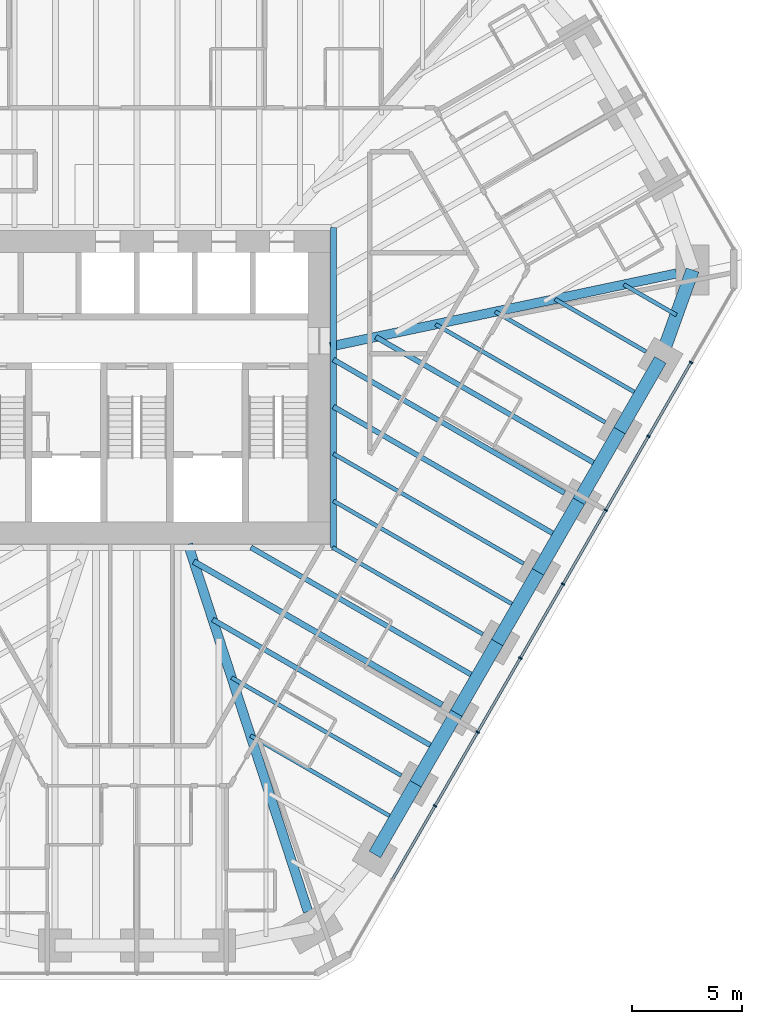
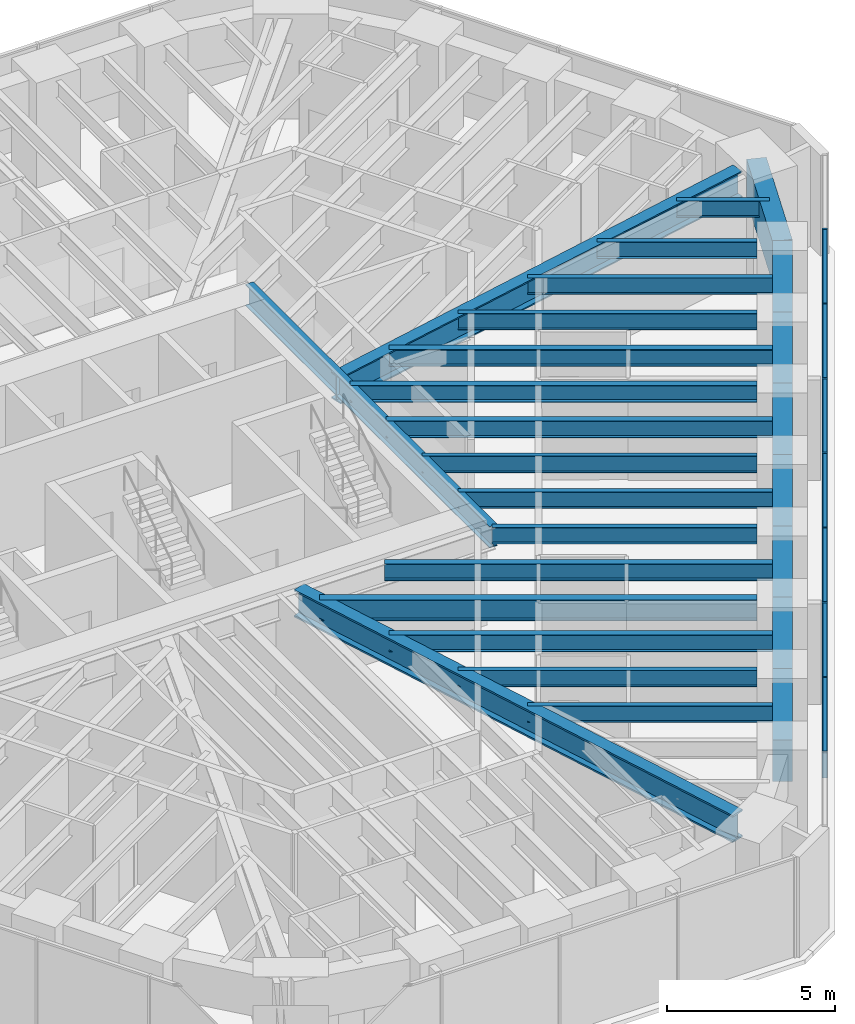
# One storey, part 5 of 17: 26 beams, 14 members, 1 element without a shape of its own.
"""IFC4 building model written with IfcOpenShell, lengths in metres."""

from ifc_helpers import new_model, si_unit, direction, frame, origin, origin_2d, place, context, subcontext, project, spatial, rectangle, i_section, extrude, material, material_profile, profile_set, type_object, element, aggregate, save


model = new_model("IFC4")

# Units and contexts
model_context = context("Model", 3, precision=1e-05, world=origin(), true_north=direction((0.0, 1.0)))
body_context = subcontext(model_context, "Body", "Model", "MODEL_VIEW")
ifc_project = project(units=[si_unit("LENGTHUNIT", "METRE"), si_unit("AREAUNIT", "SQUARE_METRE"), si_unit("VOLUMEUNIT", "CUBIC_METRE"), si_unit("PLANEANGLEUNIT", "RADIAN"), si_unit("MASSUNIT", "GRAM", prefix="KILO")], contexts=[model_context])

# Site, building, storey
site_placement = place(None, origin())
site = spatial("IfcSite", under=ifc_project, at=site_placement, CompositionType="ELEMENT")
building_placement = place(site_placement, origin())
building = spatial("IfcBuilding", under=site, at=building_placement, Name="Sandreach Pilgrim Tower", CompositionType="ELEMENT")
storey_placement = place(building_placement, frame((0.0, 0.0, 221.199951171875)))
storey = spatial("IfcBuildingStorey", under=building, at=storey_placement, Name="L55", CompositionType="ELEMENT", Elevation=221.199951171875)

# Curtain wall, members
ifc_material_1 = material(Name="Aluminium framed curtain wall", Category="aluminium")
curtain_wall_type = type_object("IfcCurtainWallType", Name="Upper hotel tower curtain wall", PredefinedType="NOTDEFINED", material=ifc_material_1)
curtain_wall_placement = place(storey_placement, origin())
curtain_wall = element("IfcCurtainWall", 1, at=curtain_wall_placement, inside=storey, type_object=curtain_wall_type, Name="CW-3 L55 SE", PredefinedType="NOTDEFINED")
ifc_material_2 = material(Name="Aluminium extrusion", Category="aluminium")
ifc_material_profile_1 = material_profile(ifc_material_2, rectangle(XDim=0.06494140625, YDim=0.159912109375, at=origin_2d()), Name="CW-3M 65X160")
ifc_profile_set_1 = profile_set([ifc_material_profile_1], Name="Aluminium extrusion")
member_type_1 = type_object("IfcMemberType", Name="CW-3 mullion", PredefinedType="MULLION", material=ifc_profile_set_1)
member_1_placement = place(storey_placement, frame((25.087890625, 1.13330078125, 0.0), z_axis=(0.0, 0.0, 1.0), x_axis=(-0.5, -0.866025403784, 0.0)))
member_1 = element("IfcMember", 2, at=member_1_placement, type_object=member_type_1, Name="CW-3 mullion 2", PredefinedType="MULLION", context=body_context, shape_type="SweptSolid", body=[
    extrude(rectangle(XDim=0.06494140625, YDim=0.159912109375, at=origin_2d()), origin(), (0.0, 0.0, 1.0), 3.64013671875),
])
member_2_placement = place(storey_placement, frame((23.15576171875, -2.21337890625, 0.0), z_axis=(0.0, 0.0, 1.0), x_axis=(-0.5, -0.866025403784, 0.0)))
member_2 = element("IfcMember", 3, at=member_2_placement, type_object=member_type_1, Name="CW-3 mullion 3", PredefinedType="MULLION", context=body_context, shape_type="SweptSolid", body=[
    extrude(rectangle(XDim=0.06494140625, YDim=0.159912109375, at=origin_2d()), origin(), (0.0, 0.0, 1.0), 3.64013671875),
])
member_3_placement = place(storey_placement, frame((21.223388671875, -5.56005859375, 0.0), z_axis=(0.0, 0.0, 1.0), x_axis=(-0.5, -0.866025403784, 0.0)))
member_3 = element("IfcMember", 4, at=member_3_placement, type_object=member_type_1, Name="CW-3 mullion 4", PredefinedType="MULLION", context=body_context, shape_type="SweptSolid", body=[
    extrude(rectangle(XDim=0.06494140625, YDim=0.159912109375, at=origin_2d()), origin(), (0.0, 0.0, 1.0), 3.64013671875),
])
member_4_placement = place(storey_placement, frame((19.291259765625, -8.90673828125, 0.0), z_axis=(0.0, 0.0, 1.0), x_axis=(-0.5, -0.866025403784, 0.0)))
member_4 = element("IfcMember", 5, at=member_4_placement, type_object=member_type_1, Name="CW-3 mullion 5", PredefinedType="MULLION", context=body_context, shape_type="SweptSolid", body=[
    extrude(rectangle(XDim=0.06494140625, YDim=0.159912109375, at=origin_2d()), origin(), (0.0, 0.0, 1.0), 3.64013671875),
])
member_5_placement = place(storey_placement, frame((17.359130859375, -12.25341796875, 0.0), z_axis=(0.0, 0.0, 1.0), x_axis=(-0.5, -0.866025403784, 0.0)))
member_5 = element("IfcMember", 6, at=member_5_placement, type_object=member_type_1, Name="CW-3 mullion 6", PredefinedType="MULLION", context=body_context, shape_type="SweptSolid", body=[
    extrude(rectangle(XDim=0.06494140625, YDim=0.159912109375, at=origin_2d()), origin(), (0.0, 0.0, 1.0), 3.64013671875),
])
member_6_placement = place(storey_placement, frame((15.4267578125, -15.60009765625, 0.0), z_axis=(0.0, 0.0, 1.0), x_axis=(-0.5, -0.866025403784, 0.0)))
member_6 = element("IfcMember", 7, at=member_6_placement, type_object=member_type_1, Name="CW-3 mullion 7", PredefinedType="MULLION", context=body_context, shape_type="SweptSolid", body=[
    extrude(rectangle(XDim=0.06494140625, YDim=0.159912109375, at=origin_2d()), origin(), (0.0, 0.0, 1.0), 3.64013671875),
])
member_7_placement = place(storey_placement, frame((13.49462890625, -18.94677734375, 0.0), z_axis=(0.0, 0.0, 1.0), x_axis=(-0.5, -0.866025403784, 0.0)))
member_7 = element("IfcMember", 8, at=member_7_placement, type_object=member_type_1, Name="CW-3 mullion 8", PredefinedType="MULLION", context=body_context, shape_type="SweptSolid", body=[
    extrude(rectangle(XDim=0.06494140625, YDim=0.159912109375, at=origin_2d()), origin(), (0.0, 0.0, 1.0), 3.64013671875),
])
ifc_material_3 = material(Name="Aluminium extrusion", Category="aluminium")
ifc_material_profile_2 = material_profile(ifc_material_3, rectangle(XDim=0.1201171875, YDim=0.070068359375, at=origin_2d()), Name="CW-3T 120X70")
ifc_profile_set_2 = profile_set([ifc_material_profile_2], Name="Aluminium extrusion")
member_type_2 = type_object("IfcMemberType", Name="CW-3 transom", PredefinedType="USERDEFINED", material=ifc_profile_set_2)
member_8_placement = place(storey_placement, frame((25.07177734375, 1.105224609375, 3.60498046875), z_axis=(-0.500022797313, -0.86601224135, 0.0), x_axis=(0.86601224135, -0.500022797313, 0.0)))
member_8 = element("IfcMember", 9, at=member_8_placement, type_object=member_type_2, Name="CW-3 head transom 2", ObjectType="TRANSOM", PredefinedType="USERDEFINED", context=body_context, shape_type="SweptSolid", body=[
    extrude(rectangle(XDim=0.1201171875, YDim=0.070068359375, at=origin_2d()), origin(), (0.0, 0.0, 1.0), 3.799560546875),
])
member_9_placement = place(storey_placement, frame((23.139404296875, -2.241455078125, 3.60498046875), z_axis=(-0.499974606132, -0.866040064445, 0.0), x_axis=(0.866040064445, -0.499974606132, 0.0)))
member_9 = element("IfcMember", 10, at=member_9_placement, type_object=member_type_2, Name="CW-3 head transom 3", ObjectType="TRANSOM", PredefinedType="USERDEFINED", context=body_context, shape_type="SweptSolid", body=[
    extrude(rectangle(XDim=0.1201171875, YDim=0.070068359375, at=origin_2d()), origin(), (0.0, 0.0, 1.0), 3.799560546875),
])
member_10_placement = place(storey_placement, frame((21.207275390625, -5.588134765625, 3.60498046875), z_axis=(-0.499974606132, -0.866040064445, 0.0), x_axis=(0.866040064445, -0.499974606132, 0.0)))
member_10 = element("IfcMember", 11, at=member_10_placement, type_object=member_type_2, Name="CW-3 head transom 4", ObjectType="TRANSOM", PredefinedType="USERDEFINED", context=body_context, shape_type="SweptSolid", body=[
    extrude(rectangle(XDim=0.1201171875, YDim=0.070068359375, at=origin_2d()), origin(), (0.0, 0.0, 1.0), 3.799560546875),
])
member_11_placement = place(storey_placement, frame((19.275146484375, -8.934814453125, 3.60498046875), z_axis=(-0.500022797313, -0.86601224135, 0.0), x_axis=(0.86601224135, -0.500022797313, 0.0)))
member_11 = element("IfcMember", 12, at=member_11_placement, type_object=member_type_2, Name="CW-3 head transom 5", ObjectType="TRANSOM", PredefinedType="USERDEFINED", context=body_context, shape_type="SweptSolid", body=[
    extrude(rectangle(XDim=0.1201171875, YDim=0.070068359375, at=origin_2d()), origin(), (0.0, 0.0, 1.0), 3.799560546875),
])
member_12_placement = place(storey_placement, frame((17.3427734375, -12.281494140625, 3.60498046875), z_axis=(-0.499974606132, -0.866040064445, 0.0), x_axis=(0.866040064445, -0.499974606132, 0.0)))
member_12 = element("IfcMember", 13, at=member_12_placement, type_object=member_type_2, Name="CW-3 head transom 6", ObjectType="TRANSOM", PredefinedType="USERDEFINED", context=body_context, shape_type="SweptSolid", body=[
    extrude(rectangle(XDim=0.1201171875, YDim=0.070068359375, at=origin_2d()), origin(), (0.0, 0.0, 1.0), 3.799560546875),
])
member_13_placement = place(storey_placement, frame((15.41064453125, -15.628173828125, 3.60498046875), z_axis=(-0.499974606132, -0.866040064445, 0.0), x_axis=(0.866040064445, -0.499974606132, 0.0)))
member_13 = element("IfcMember", 14, at=member_13_placement, type_object=member_type_2, Name="CW-3 head transom 7", ObjectType="TRANSOM", PredefinedType="USERDEFINED", context=body_context, shape_type="SweptSolid", body=[
    extrude(rectangle(XDim=0.1201171875, YDim=0.070068359375, at=origin_2d()), origin(), (0.0, 0.0, 1.0), 3.799560546875),
])
member_14_placement = place(storey_placement, frame((13.478515625, -18.974853515625, 3.60498046875), z_axis=(-0.500022797313, -0.86601224135, 0.0), x_axis=(0.86601224135, -0.500022797313, 0.0)))
member_14 = element("IfcMember", 15, at=member_14_placement, type_object=member_type_2, Name="CW-3 head transom 8", ObjectType="TRANSOM", PredefinedType="USERDEFINED", context=body_context, shape_type="SweptSolid", body=[
    extrude(rectangle(XDim=0.1201171875, YDim=0.070068359375, at=origin_2d()), origin(), (0.0, 0.0, 1.0), 3.799560546875),
])
aggregate(curtain_wall, [member_1, member_2, member_3, member_4, member_5, member_6, member_7, member_8, member_9, member_10, member_11, member_12, member_13, member_14])

# Beams
ifc_material_4 = material(Name="Steel ASTM A992 Grade 50", Category="steel")
ifc_material_profile_3 = material_profile(ifc_material_4, i_section(OverallWidth=0.2666015625, OverallDepth=0.77978515625, WebThickness=0.0166015625, FlangeThickness=0.030029296875, at=origin_2d()), Name="W30X148")
ifc_profile_set_3 = profile_set([ifc_material_profile_3], Name="Steel ASTM A992 Grade 50")
beam_type_1 = type_object("IfcBeamType", Name="Core edge beam W30X148", PredefinedType="BEAM", material=ifc_profile_set_3)
beam_1_placement = place(storey_placement, frame((8.893310546875, 7.243408203125, 3.250244140625), z_axis=(0.0, -1.0, 0.0), x_axis=(1.0, 0.0, 0.0)))
element("IfcBeam", 16, at=beam_1_placement, inside=storey, type_object=beam_type_1, Name="BM L55 CEE", PredefinedType="BEAM", context=body_context, shape_type="SweptSolid", body=[
    extrude(i_section(OverallWidth=0.2666015625, OverallDepth=0.77978515625, WebThickness=0.0166015625, FlangeThickness=0.030029296875, at=origin_2d()), origin(), (0.0, 0.0, 1.0), 14.48681640625),
])
ifc_material_5 = material(Name="Steel ASTM A992 Grade 50", Category="steel")
ifc_material_profile_4 = material_profile(ifc_material_5, i_section(OverallWidth=0.421630859375, OverallDepth=0.95751953125, WebThickness=0.02587890625, FlangeThickness=0.046875, at=origin_2d()), Name="W36X330")
ifc_profile_set_4 = profile_set([ifc_material_profile_4], Name="Steel ASTM A992 Grade 50")
beam_type_2 = type_object("IfcBeamType", Name="Corner girder W36X330", PredefinedType="BEAM", material=ifc_profile_set_4)
beam_2_placement = place(storey_placement, frame((24.422607421875, 5.156494140625, 3.161376953125), z_axis=(-0.978428978804, -0.206583478132, 0.0), x_axis=(0.206583478132, -0.978428978804, 0.0)))
element("IfcBeam", 17, at=beam_2_placement, inside=storey, type_object=beam_type_2, Name="BM L55 CG13", PredefinedType="BEAM", context=body_context, shape_type="SweptSolid", body=[
    extrude(i_section(OverallWidth=0.421630859375, OverallDepth=0.95751953125, WebThickness=0.02587890625, FlangeThickness=0.046875, at=origin_2d()), origin(), (0.0, 0.0, 1.0), 16.01806640625),
])
ifc_material_6 = material(Name="Steel ASTM A992 Grade 50", Category="steel")
ifc_material_profile_5 = material_profile(ifc_material_6, i_section(OverallWidth=0.431884765625, OverallDepth=0.988037109375, WebThickness=0.034423828125, FlangeThickness=0.06201171875, at=origin_2d()), Name="W36X441")
ifc_profile_set_5 = profile_set([ifc_material_profile_5], Name="Steel ASTM A992 Grade 50")
beam_type_3 = type_object("IfcBeamType", Name="Corner girder W36X441", PredefinedType="BEAM", material=ifc_profile_set_5)
beam_3_placement = place(storey_placement, frame((7.745849609375, -23.72900390625, 3.14599609375), z_axis=(-0.310317870968, 0.950632851819, 0.0), x_axis=(-0.950632851819, -0.310317870968, 0.0)))
element("IfcBeam", 18, at=beam_3_placement, inside=storey, type_object=beam_type_3, Name="BM L55 CG22", PredefinedType="BEAM", context=body_context, shape_type="SweptSolid", body=[
    extrude(i_section(OverallWidth=0.431884765625, OverallDepth=0.988037109375, WebThickness=0.034423828125, FlangeThickness=0.06201171875, at=origin_2d()), origin(), (0.0, 0.0, 1.0), 17.492431640625),
])
ifc_material_7 = material(Name="Steel ASTM A992 Grade 50", Category="steel")
ifc_material_profile_6 = material_profile(ifc_material_7, i_section(OverallWidth=0.1787109375, OverallDepth=0.60205078125, WebThickness=0.010986328125, FlangeThickness=0.014892578125, at=origin_2d()), Name="W24X62")
ifc_profile_set_6 = profile_set([ifc_material_profile_6], Name="Steel ASTM A992 Grade 50")
beam_type_4 = type_object("IfcBeamType", Name="Floor beam W24X62", PredefinedType="BEAM", material=ifc_profile_set_6)
beam_4_placement = place(storey_placement, frame((23.04638671875, 1.6171875, 3.339111328125), z_axis=(-0.86603347311, 0.499986023258, 0.0), x_axis=(-0.499986023258, -0.86603347311, 0.0)))
element("IfcBeam", 19, at=beam_4_placement, inside=storey, type_object=beam_type_4, Name="BM L55 F14", PredefinedType="BEAM", context=body_context, shape_type="SweptSolid", body=[
    extrude(i_section(OverallWidth=0.1787109375, OverallDepth=0.60205078125, WebThickness=0.010986328125, FlangeThickness=0.014892578125, at=origin_2d()), origin(), (0.0, 0.0, 1.0), 4.757568359375),
])
beam_5_placement = place(storey_placement, frame((21.2001953125, -1.58056640625, 3.339111328125), z_axis=(-0.866027448082, 0.499996459156, 0.0), x_axis=(-0.499996459156, -0.866027448082, 0.0)))
element("IfcBeam", 20, at=beam_5_placement, inside=storey, type_object=beam_type_4, Name="BM L55 F15", PredefinedType="BEAM", context=body_context, shape_type="SweptSolid", body=[
    extrude(i_section(OverallWidth=0.1787109375, OverallDepth=0.60205078125, WebThickness=0.010986328125, FlangeThickness=0.014892578125, at=origin_2d()), origin(), (0.0, 0.0, 1.0), 8.86962890625),
])
beam_6_placement = place(storey_placement, frame((17.507568359375, -7.97607421875, 3.339111328125), z_axis=(-0.866027815265, 0.499995823171, 0.0), x_axis=(-0.499995823171, -0.866027815265, 0.0)))
element("IfcBeam", 21, at=beam_6_placement, inside=storey, type_object=beam_type_4, Name="BM L55 F17", PredefinedType="BEAM", context=body_context, shape_type="SweptSolid", body=[
    extrude(i_section(OverallWidth=0.1787109375, OverallDepth=0.60205078125, WebThickness=0.010986328125, FlangeThickness=0.014892578125, at=origin_2d()), origin(), (0.0, 0.0, 1.0), 9.94677734375),
])
beam_7_placement = place(storey_placement, frame((15.661376953125, -11.173828125, 3.339111328125), z_axis=(-0.866038711524, 0.49997694961, 0.0), x_axis=(-0.49997694961, -0.866038711524, 0.0)))
element("IfcBeam", 22, at=beam_7_placement, inside=storey, type_object=beam_type_4, Name="BM L55 F18", PredefinedType="BEAM", context=body_context, shape_type="SweptSolid", body=[
    extrude(i_section(OverallWidth=0.1787109375, OverallDepth=0.60205078125, WebThickness=0.010986328125, FlangeThickness=0.014892578125, at=origin_2d()), origin(), (0.0, 0.0, 1.0), 7.861083984375),
])
beam_8_placement = place(storey_placement, frame((11.96875, -17.569580078125, 3.339111328125), z_axis=(-0.866020566617, 0.500008378126, 0.0), x_axis=(-0.500008378126, -0.866020566617, 0.0)))
element("IfcBeam", 23, at=beam_8_placement, inside=storey, type_object=beam_type_4, Name="BM L55 F20", PredefinedType="BEAM", context=body_context, shape_type="SweptSolid", body=[
    extrude(i_section(OverallWidth=0.1787109375, OverallDepth=0.60205078125, WebThickness=0.010986328125, FlangeThickness=0.014892578125, at=origin_2d()), origin(), (0.0, 0.0, 1.0), 8.869384765625),
])
beam_9_placement = place(storey_placement, frame((24.42626953125, 3.27685546875, 3.339111328125), z_axis=(-0.866046803606, 0.49996293259, 0.0), x_axis=(-0.49996293259, -0.866046803606, 0.0)))
element("IfcBeam", 24, at=beam_9_placement, inside=storey, type_object=beam_type_4, Name="BM L55 FM13", PredefinedType="BEAM", context=body_context, shape_type="SweptSolid", body=[
    extrude(i_section(OverallWidth=0.1787109375, OverallDepth=0.60205078125, WebThickness=0.010986328125, FlangeThickness=0.014892578125, at=origin_2d()), origin(), (0.0, 0.0, 1.0), 2.753662109375),
])
beam_10_placement = place(storey_placement, frame((22.772705078125, -0.356689453125, 3.339111328125), z_axis=(-0.866029704776, 0.49999255039, 0.0), x_axis=(-0.49999255039, -0.866029704776, 0.0)))
element("IfcBeam", 25, at=beam_10_placement, inside=storey, type_object=beam_type_4, Name="BM L55 FM14", PredefinedType="BEAM", context=body_context, shape_type="SweptSolid", body=[
    extrude(i_section(OverallWidth=0.1787109375, OverallDepth=0.60205078125, WebThickness=0.010986328125, FlangeThickness=0.014892578125, at=origin_2d()), origin(), (0.0, 0.0, 1.0), 7.5634765625),
])
beam_11_placement = place(storey_placement, frame((17.23388671875, -9.949951171875, 3.339111328125), z_axis=(-0.866025593094, 0.499999672107, 0.0), x_axis=(-0.499999672107, -0.866025593094, 0.0)))
element("IfcBeam", 26, at=beam_11_placement, inside=storey, type_object=beam_type_4, Name="BM L55 FM17", PredefinedType="BEAM", context=body_context, shape_type="SweptSolid", body=[
    extrude(i_section(OverallWidth=0.1787109375, OverallDepth=0.60205078125, WebThickness=0.010986328125, FlangeThickness=0.014892578125, at=origin_2d()), origin(), (0.0, 0.0, 1.0), 9.630859375),
])
beam_12_placement = place(storey_placement, frame((11.6953125, -19.54345703125, 3.339111328125), z_axis=(-0.866029704776, 0.49999255039, 0.0), x_axis=(-0.49999255039, -0.866029704776, 0.0)))
element("IfcBeam", 27, at=beam_12_placement, inside=storey, type_object=beam_type_4, Name="BM L55 FM20", PredefinedType="BEAM", context=body_context, shape_type="SweptSolid", body=[
    extrude(i_section(OverallWidth=0.1787109375, OverallDepth=0.60205078125, WebThickness=0.010986328125, FlangeThickness=0.014892578125, at=origin_2d()), origin(), (0.0, 0.0, 1.0), 7.5634765625),
])
ifc_material_8 = material(Name="Steel ASTM A992 Grade 50", Category="steel")
ifc_material_profile_7 = material_profile(ifc_material_8, i_section(OverallWidth=0.23046875, OverallDepth=0.6171875, WebThickness=0.01318359375, FlangeThickness=0.022216796875, at=origin_2d()), Name="W24X94")
ifc_profile_set_7 = profile_set([ifc_material_profile_7], Name="Steel ASTM A992 Grade 50")
beam_type_5 = type_object("IfcBeamType", Name="Floor beam W24X94", PredefinedType="BEAM", material=ifc_profile_set_7)
beam_13_placement = place(storey_placement, frame((19.353759765625, -4.7783203125, 3.33154296875), z_axis=(-0.866026713419, 0.49999773164, 0.0), x_axis=(-0.49999773164, -0.866026713419, 0.0)))
element("IfcBeam", 28, at=beam_13_placement, inside=storey, type_object=beam_type_5, Name="BM L55 F16", PredefinedType="BEAM", context=body_context, shape_type="SweptSolid", body=[
    extrude(i_section(OverallWidth=0.23046875, OverallDepth=0.6171875, WebThickness=0.01318359375, FlangeThickness=0.022216796875, at=origin_2d()), origin(), (0.0, 0.0, 1.0), 12.07861328125),
])
beam_14_placement = place(storey_placement, frame((20.926513671875, -3.554443359375, 3.33154296875), z_axis=(-0.866026454974, 0.499998179282, 0.0), x_axis=(-0.499998179282, -0.866026454974, 0.0)))
element("IfcBeam", 29, at=beam_14_placement, inside=storey, type_object=beam_type_5, Name="BM L55 FM15", PredefinedType="BEAM", context=body_context, shape_type="SweptSolid", body=[
    extrude(i_section(OverallWidth=0.23046875, OverallDepth=0.6171875, WebThickness=0.01318359375, FlangeThickness=0.022216796875, at=origin_2d()), origin(), (0.0, 0.0, 1.0), 11.67578125),
])
beam_15_placement = place(storey_placement, frame((19.080322265625, -6.752197265625, 3.33154296875), z_axis=(-0.866030053141, 0.499991946992, 0.0), x_axis=(-0.499991946992, -0.866030053141, 0.0)))
element("IfcBeam", 30, at=beam_15_placement, inside=storey, type_object=beam_type_5, Name="BM L55 FM16", PredefinedType="BEAM", context=body_context, shape_type="SweptSolid", body=[
    extrude(i_section(OverallWidth=0.23046875, OverallDepth=0.6171875, WebThickness=0.01318359375, FlangeThickness=0.022216796875, at=origin_2d()), origin(), (0.0, 0.0, 1.0), 11.762939453125),
])
beam_16_placement = place(storey_placement, frame((15.3876953125, -13.14794921875, 3.33154296875), z_axis=(-0.866022050506, 0.500005808004, 0.0), x_axis=(-0.500005808004, -0.866022050506, 0.0)))
element("IfcBeam", 31, at=beam_16_placement, inside=storey, type_object=beam_type_5, Name="BM L55 FM18", PredefinedType="BEAM", context=body_context, shape_type="SweptSolid", body=[
    extrude(i_section(OverallWidth=0.23046875, OverallDepth=0.6171875, WebThickness=0.01318359375, FlangeThickness=0.022216796875, at=origin_2d()), origin(), (0.0, 0.0, 1.0), 11.808837890625),
])
beam_17_placement = place(storey_placement, frame((13.54150390625, -16.345703125, 3.33154296875), z_axis=(-0.866026454974, 0.499998179282, 0.0), x_axis=(-0.499998179282, -0.866026454974, 0.0)))
element("IfcBeam", 32, at=beam_17_placement, inside=storey, type_object=beam_type_5, Name="BM L55 FM19", PredefinedType="BEAM", context=body_context, shape_type="SweptSolid", body=[
    extrude(i_section(OverallWidth=0.23046875, OverallDepth=0.6171875, WebThickness=0.01318359375, FlangeThickness=0.022216796875, at=origin_2d()), origin(), (0.0, 0.0, 1.0), 11.67578125),
])
ifc_material_9 = material(Name="Steel ASTM A992 Grade 50", Category="steel")
ifc_material_profile_8 = material_profile(ifc_material_9, i_section(OverallWidth=0.2666015625, OverallDepth=0.761962890625, WebThickness=0.014404296875, FlangeThickness=0.021484375, at=origin_2d()), Name="W30X116")
ifc_profile_set_8 = profile_set([ifc_material_profile_8], Name="Steel ASTM A992 Grade 50")
beam_type_6 = type_object("IfcBeamType", Name="Floor beam W30X116", PredefinedType="BEAM", material=ifc_profile_set_8)
beam_18_placement = place(storey_placement, frame((13.815185546875, -14.371826171875, 3.259033203125), z_axis=(-0.866025240073, 0.500000283557, 0.0), x_axis=(-0.500000283557, -0.866025240073, 0.0)))
element("IfcBeam", 33, at=beam_18_placement, inside=storey, type_object=beam_type_6, Name="BM L55 F19", PredefinedType="BEAM", context=body_context, shape_type="SweptSolid", body=[
    extrude(i_section(OverallWidth=0.2666015625, OverallDepth=0.761962890625, WebThickness=0.014404296875, FlangeThickness=0.021484375, at=origin_2d()), origin(), (0.0, 0.0, 1.0), 12.98193359375),
])
ifc_material_10 = material(Name="Concrete 10000 psi", Category="concrete")
ifc_material_profile_9 = material_profile(ifc_material_10, rectangle(XDim=0.60009765625, YDim=1.5, at=origin_2d()), Name="RC600X1500")
ifc_profile_set_9 = profile_set([ifc_material_profile_9], Name="Concrete 10000 psi")
beam_type_7 = type_object("IfcBeamType", Name="Spandrel beam RC600X1500", PredefinedType="SPANDREL", material=ifc_profile_set_9)
beam_19_placement = place(storey_placement, frame((25.156494140625, 5.311279296875, 2.89013671875), z_axis=(-0.337863470932, -0.941195131208, 0.0), x_axis=(0.941195131208, -0.337863470932, 0.0)))
element("IfcBeam", 34, at=beam_19_placement, inside=storey, type_object=beam_type_7, Name="BM L55 SP13", PredefinedType="SPANDREL", context=body_context, shape_type="SweptSolid", body=[
    extrude(rectangle(XDim=0.60009765625, YDim=1.5, at=origin_2d()), origin(), (0.0, 0.0, 1.0), 4.3232421875),
])
for number, where, z_axis, x_axis, name in (
    (35, (23.69580078125, 1.2421875, 2.89013671875), (-0.499993363642, -0.866029235253, 0.0), (0.866029235253, -0.499993363642, 0.0), "BM L55 SP14"),
    (36, (21.849609375, -1.95556640625, 2.89013671875), (-0.499993363642, -0.866029235253, 0.0), (0.866029235253, -0.499993363642, 0.0), "BM L55 SP15"),
    (37, (20.00341796875, -5.1533203125, 2.89013671875), (-0.499993363642, -0.866029235253, 0.0), (0.866029235253, -0.499993363642, 0.0), "BM L55 SP16"),
):
    element("IfcBeam", number, at=place(storey_placement, frame(where, z_axis=z_axis, x_axis=x_axis)), inside=storey, type_object=beam_type_7, Name=name, PredefinedType="SPANDREL", context=body_context, shape_type="SweptSolid", body=[
        extrude(rectangle(XDim=0.60009765625, YDim=1.5, at=origin_2d()), origin(), (0.0, 0.0, 1.0), 3.6923828125),
    ])
for number, where, z_axis, x_axis, name in (
    (38, (18.1572265625, -8.35107421875, 2.89013671875), (-0.500042951019, -0.866000604582, 0.0), (0.866000604582, -0.500042951019, 0.0), "BM L55 SP17"),
    (39, (16.310791015625, -11.548828125, 2.89013671875), (-0.49996473481, -0.866045763194, 0.0), (0.866045763194, -0.49996473481, 0.0), "BM L55 SP18"),
):
    element("IfcBeam", number, at=place(storey_placement, frame(where, z_axis=z_axis, x_axis=x_axis)), inside=storey, type_object=beam_type_7, Name=name, PredefinedType="SPANDREL", context=body_context, shape_type="SweptSolid", body=[
        extrude(rectangle(XDim=0.60009765625, YDim=1.5, at=origin_2d()), origin(), (0.0, 0.0, 1.0), 3.692626953125),
    ])
for number, where, z_axis, x_axis, name in (
    (40, (14.464599609375, -14.746826171875, 2.89013671875), (-0.499993363642, -0.866029235253, 0.0), (0.866029235253, -0.499993363642, 0.0), "BM L55 SP19"),
    (41, (12.618408203125, -17.944580078125, 2.89013671875), (-0.499993363642, -0.866029235253, 0.0), (0.866029235253, -0.499993363642, 0.0), "BM L55 SP20"),
):
    element("IfcBeam", number, at=place(storey_placement, frame(where, z_axis=z_axis, x_axis=x_axis)), inside=storey, type_object=beam_type_7, Name=name, PredefinedType="SPANDREL", context=body_context, shape_type="SweptSolid", body=[
        extrude(rectangle(XDim=0.60009765625, YDim=1.5, at=origin_2d()), origin(), (0.0, 0.0, 1.0), 3.6923828125),
    ])

save(model, "model.ifc")
